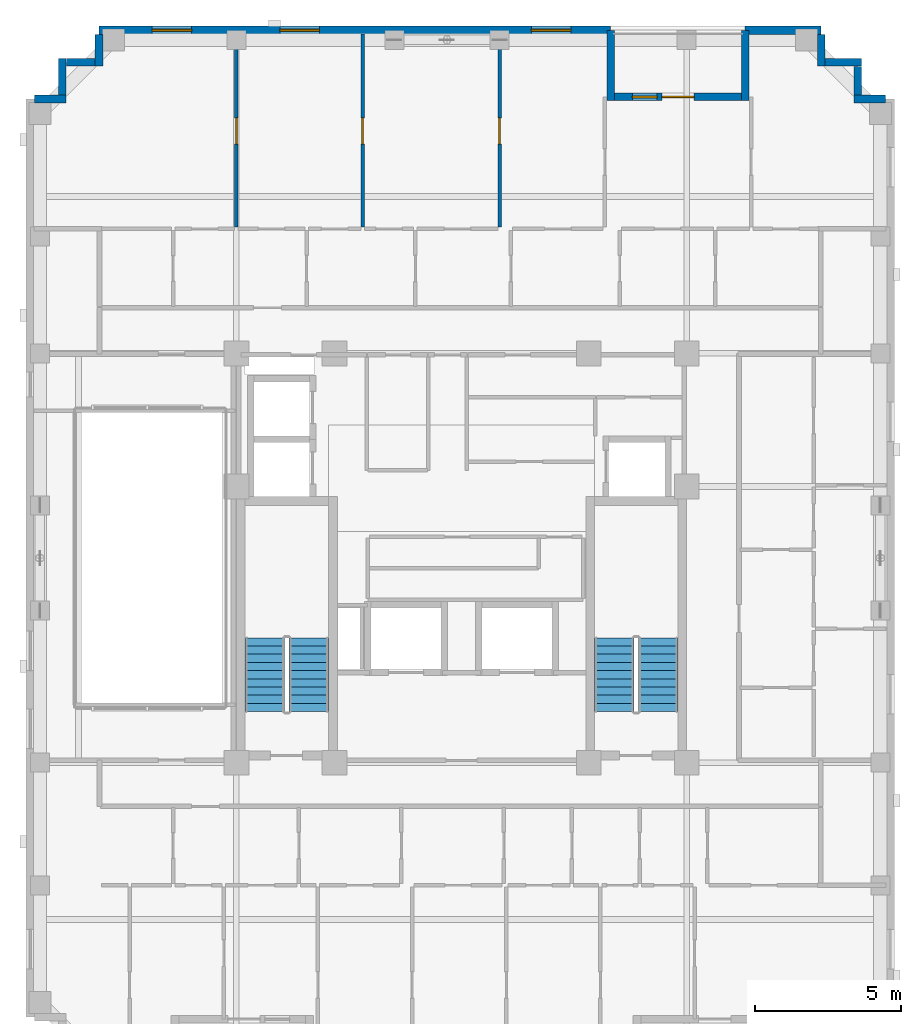
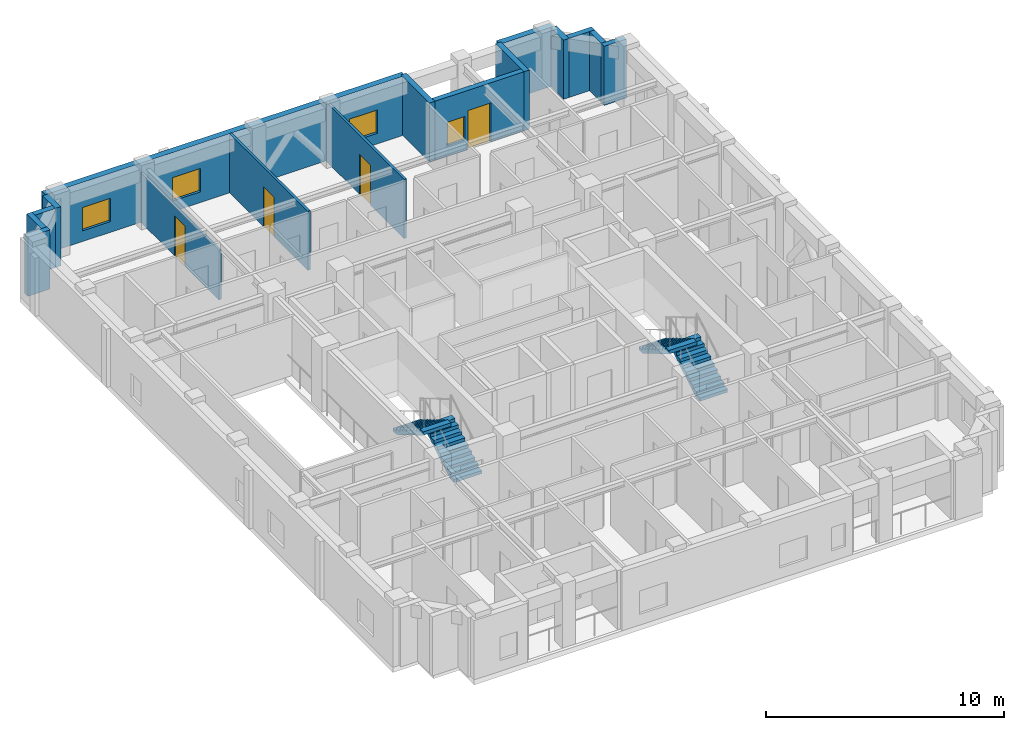
# One storey, part 9 of 13: 16 walls, 4 doors, 4 stair flights, 4 windows, 8 openings, 2 elements without a shape of their own.
"""IFC4 building model written with IfcOpenShell, lengths in metres."""

from ifc_helpers import new_model, si_unit, derived_unit, direction, frame, frame_2d, origin, place, context, subcontext, project, spatial, polyline, rectangle, outline, extrude, material, layer, layer_set, type_object, element, fill, aggregate, save


model = new_model("IFC4")

# Units and contexts
model_context = context("Model", 3, precision=1e-05, world=origin(), true_north=direction((0.0, 1.0)))
body_context = subcontext(model_context, "Body", "Model", "MODEL_VIEW")
ifc_project = project(units=[si_unit("LENGTHUNIT", "METRE"), si_unit("AREAUNIT", "SQUARE_METRE"), si_unit("VOLUMEUNIT", "CUBIC_METRE"), si_unit("PLANEANGLEUNIT", "RADIAN"), si_unit("MASSUNIT", "GRAM", prefix="KILO"), derived_unit("THERMALTRANSMITTANCEUNIT", [(si_unit("MASSUNIT", "GRAM", prefix="KILO"), 1), (si_unit("TIMEUNIT", "SECOND"), -3), (si_unit("THERMODYNAMICTEMPERATUREUNIT", "KELVIN"), -1)])], contexts=[model_context])

# Site, building, storey
site_placement = place(None, origin())
site = spatial("IfcSite", under=ifc_project, at=site_placement, CompositionType="ELEMENT")
building_placement = place(site_placement, origin())
building = spatial("IfcBuilding", under=site, at=building_placement, Name="Korrvale Station Residences", CompositionType="ELEMENT")
storey_placement = place(building_placement, frame((0.0, 0.0, 181.0)))
storey = spatial("IfcBuildingStorey", under=building, at=storey_placement, Name="L52", CompositionType="ELEMENT", Elevation=181.0)

# Wall
ifc_material_1 = material(Name="Precast concrete C45/55", Category="concrete")
ifc_layer_1 = layer(ifc_material_1, 0.260009765625, Name="Precast concrete C45/55")
ifc_layer_set_1 = layer_set([ifc_layer_1], Name="Precast concrete C45/55")
wall_type_1 = type_object("IfcWallType", Name="WAL-EXT-LOG260", PredefinedType="SOLIDWALL", material=ifc_layer_set_1)
wall_1_placement = place(storey_placement, frame((30.60009765625, 40.0400390625, 0.0), z_axis=(0.0, 0.0, 1.0), x_axis=(0.0, -1.0, 0.0)))
element("IfcWall", 1, at=wall_1_placement, inside=storey, type_object=wall_type_1, Name="L52 Recessed Loggia Wall BAL-L52-N1-L", PredefinedType="SOLIDWALL", context=body_context, shape_type="SweptSolid", body=[
    extrude(rectangle(XDim=2.400146484375, YDim=0.260009765625, at=frame_2d((1.2001953125, 0.0))), origin(), (0.0, 0.0, 1.0), 3.0400390625),
])

# Wall, openings, door, window
wall_2_placement = place(storey_placement, frame((30.73388671875, 37.77001953125, 0.0), z_axis=(0.0, 0.0, 1.0), x_axis=(1.0, 0.0, 0.0)))
wall_2 = element("IfcWall", 2, at=wall_2_placement, inside=storey, type_object=wall_type_1, Name="L52 Recessed Loggia Wall BAL-L52-N1-B", PredefinedType="SOLIDWALL", context=body_context, shape_type="SweptSolid", body=[
    extrude(rectangle(XDim=4.33203125, YDim=0.260009765625, at=frame_2d((2.166015625, 0.0))), origin(), (0.0, 0.0, 1.0), 3.0400390625),
])
opening_1_placement = place(wall_2_placement, frame((1.615966796875, 0.0, 0.0)))
opening_1 = element("IfcOpeningElement", 3, at=opening_1_placement, cuts=wall_2, Name="Opening BD-01", PredefinedType="OPENING", context=body_context, shape_type="SweptSolid", body=[
    extrude(rectangle(XDim=1.10009765625, YDim=2.0, at=frame_2d((0.550048828125, 1.0))), frame((0.0, 0.14013671875, 0.0), z_axis=(0.0, -1.0, 0.0), x_axis=(1.0, 0.0, 0.0)), (0.0, 0.0, 1.0), 0.280029296875),
])
opening_2_placement = place(wall_2_placement, frame((0.60595703125, 0.0, 0.550048828125)))
opening_2 = element("IfcOpeningElement", 4, at=opening_2_placement, cuts=wall_2, Name="Opening W-11", PredefinedType="OPENING", context=body_context, shape_type="SweptSolid", body=[
    extrude(rectangle(XDim=0.85009765625, YDim=1.199951171875, at=frame_2d((0.425048828125, 0.60009765625))), frame((0.0, 0.14013671875, 0.0), z_axis=(0.0, -1.0, 0.0), x_axis=(1.0, 0.0, 0.0)), (0.0, 0.0, 1.0), 0.280029296875),
])
ifc_material_2 = material(Name="Exterior thermally broken aluminium glazed balcony door", Category="aluminium")
door_type_1 = type_object("IfcDoorType", Name="DR-EXT-BAL", OperationType="NOTDEFINED", PredefinedType="DOOR", material=ifc_material_2)
door_1_placement = place(opening_1_placement, origin())
door_1 = element("IfcDoor", 5, at=door_1_placement, inside=storey, type_object=door_type_1, Name="L52 Loggia Balcony Door BAL-L52-N1", OperationType="SINGLE_SWING_LEFT", OverallHeight=2.0, OverallWidth=1.10009765625, PredefinedType="DOOR", context=body_context, shape_type="SweptSolid", body=[
    extrude(rectangle(XDim=1.10009765625, YDim=2.0, at=frame_2d((0.550048828125, 1.0))), frame((0.0, 0.02490234375, 0.0), z_axis=(0.0, -1.0, 0.0), x_axis=(1.0, 0.0, 0.0)), (0.0, 0.0, 1.0), 0.050048828125),
])
fill(opening_1, door_1)
ifc_material_3 = material(Name="Thermally broken aluminium frame with triple low-e glazing", Category="aluminium")
window_type_1 = type_object("IfcWindowType", Name="WIN-W11", PartitioningType="SINGLE_PANEL", PredefinedType="WINDOW", material=ifc_material_3)
window_1_placement = place(opening_2_placement, origin())
window_1 = element("IfcWindow", 6, at=window_1_placement, inside=storey, type_object=window_type_1, Name="L52 Punched Window 11", OverallHeight=1.199951171875, OverallWidth=0.85009765625, PartitioningType="SINGLE_PANEL", PredefinedType="WINDOW", context=body_context, shape_type="SweptSolid", body=[
    extrude(rectangle(XDim=0.85009765625, YDim=1.199951171875, at=frame_2d((0.425048828125, 0.60009765625))), frame((0.0, 0.030029296875, 0.0), z_axis=(0.0, -1.0, 0.0), x_axis=(1.0, 0.0, 0.0)), (0.0, 0.0, 1.0), 0.06005859375),
])
fill(opening_2, window_1)

# Walls
wall_3_placement = place(storey_placement, frame((35.199951171875, 37.639892578125, 0.0), z_axis=(0.0, 0.0, 1.0), x_axis=(0.0, 1.0, 0.0)))
element("IfcWall", 7, at=wall_3_placement, inside=storey, type_object=wall_type_1, Name="L52 Recessed Loggia Wall BAL-L52-N1-R", PredefinedType="SOLIDWALL", context=body_context, shape_type="SweptSolid", body=[
    extrude(rectangle(XDim=2.400146484375, YDim=0.260009765625, at=frame_2d((1.2001953125, 0.0))), origin(), (0.0, 0.0, 1.0), 3.0400390625),
])
wall_4_placement = place(storey_placement, frame((10.902099609375, 37.699951171875, 0.0), z_axis=(0.0, 0.0, 1.0), x_axis=(1.0, 0.0, 0.0)))
element("IfcWall", 8, at=wall_4_placement, inside=storey, type_object=wall_type_1, Name="L52 Serrated Corner Precast Step NW-1", PredefinedType="SOLIDWALL", context=body_context, shape_type="SweptSolid", body=[
    extrude(rectangle(XDim=1.077880859375, YDim=0.260009765625, at=frame_2d((0.5390625, 0.0))), origin(), (0.0, 0.0, 1.0), 3.0400390625),
])
wall_5_placement = place(storey_placement, frame((11.85009765625, 37.83203125, 0.0), z_axis=(0.0, 0.0, 1.0), x_axis=(0.0, 1.0, 0.0)))
element("IfcWall", 9, at=wall_5_placement, inside=storey, type_object=wall_type_1, Name="L52 Serrated Corner Precast Step NW-2", PredefinedType="SOLIDWALL", context=body_context, shape_type="SweptSolid", body=[
    extrude(rectangle(XDim=1.248046875, YDim=0.260009765625, at=frame_2d((0.6240234375, 0.0))), origin(), (0.0, 0.0, 1.0), 3.0400390625),
])
wall_6_placement = place(storey_placement, frame((11.98193359375, 38.949951171875, 0.0), z_axis=(0.0, 0.0, 1.0), x_axis=(1.0, 0.0, 0.0)))
element("IfcWall", 10, at=wall_6_placement, inside=storey, type_object=wall_type_1, Name="L52 Serrated Corner Precast Step NW-3", PredefinedType="SOLIDWALL", context=body_context, shape_type="SweptSolid", body=[
    extrude(rectangle(XDim=0.986083984375, YDim=0.260009765625, at=frame_2d((0.4931640625, 0.0))), origin(), (0.0, 0.0, 1.0), 3.0400390625),
])
for number, where, z_axis, x_axis, name in (
    (11, (13.10009765625, 38.820068359375, 0.0), (0.0, 0.0, 1.0), (0.0, 1.0, 0.0), "L52 Serrated Corner Precast Step NW-4"),
    (12, (37.800048828125, 39.89794921875, 0.0), (0.0, 0.0, 1.0), (0.0, -1.0, 0.0), "L52 Serrated Corner Precast Step NE-1"),
):
    element("IfcWall", number, at=place(storey_placement, frame(where, z_axis=z_axis, x_axis=x_axis)), inside=storey, type_object=wall_type_1, Name=name, PredefinedType="SOLIDWALL", context=body_context, shape_type="SweptSolid", body=[
        extrude(rectangle(XDim=1.077880859375, YDim=0.260009765625, at=frame_2d((0.5390625, 0.0))), origin(), (0.0, 0.0, 1.0), 3.0400390625),
    ])
wall_7_placement = place(storey_placement, frame((37.931884765625, 38.949951171875, 0.0), z_axis=(0.0, 0.0, 1.0), x_axis=(1.0, 0.0, 0.0)))
element("IfcWall", 13, at=wall_7_placement, inside=storey, type_object=wall_type_1, Name="L52 Serrated Corner Precast Step NE-2", PredefinedType="SOLIDWALL", context=body_context, shape_type="SweptSolid", body=[
    extrude(rectangle(XDim=1.248046875, YDim=0.260009765625, at=frame_2d((0.6240234375, 0.0))), origin(), (0.0, 0.0, 1.0), 3.0400390625),
])
wall_8_placement = place(storey_placement, frame((39.050048828125, 38.818115234375, 0.0), z_axis=(0.0, 0.0, 1.0), x_axis=(0.0, -1.0, 0.0)))
element("IfcWall", 14, at=wall_8_placement, inside=storey, type_object=wall_type_1, Name="L52 Serrated Corner Precast Step NE-3", PredefinedType="SOLIDWALL", context=body_context, shape_type="SweptSolid", body=[
    extrude(rectangle(XDim=0.986083984375, YDim=0.260009765625, at=frame_2d((0.4931640625, 0.0))), origin(), (0.0, 0.0, 1.0), 3.0400390625),
])
wall_9_placement = place(storey_placement, frame((38.919921875, 37.699951171875, 0.0), z_axis=(0.0, 0.0, 1.0), x_axis=(1.0, 0.0, 0.0)))
element("IfcWall", 15, at=wall_9_placement, inside=storey, type_object=wall_type_1, Name="L52 Serrated Corner Precast Step NE-4", PredefinedType="SOLIDWALL", context=body_context, shape_type="SweptSolid", body=[
    extrude(rectangle(XDim=1.078125, YDim=0.260009765625, at=frame_2d((0.5390625, 0.0))), origin(), (0.0, 0.0, 1.0), 3.0400390625),
])

# Wall, openings, windows
ifc_layer_2 = layer(ifc_material_1, 0.300048828125, Name="Precast concrete C45/55")
ifc_layer_set_2 = layer_set([ifc_layer_2], Name="Precast concrete C45/55")
wall_type_2 = type_object("IfcWallType", Name="WAL-EXT-PC300", PredefinedType="SOLIDWALL", material=ifc_layer_set_2)
wall_10_placement = place(storey_placement, frame((13.10009765625, 40.050048828125, 0.0), z_axis=(0.0, 0.0, 1.0), x_axis=(1.0, 0.0, 0.0)))
wall_10 = element("IfcWall", 16, at=wall_10_placement, inside=storey, type_object=wall_type_2, Name="L52 North Exterior Precast Wall 1", PredefinedType="SOLIDWALL", context=body_context, shape_type="SweptSolid", body=[
    extrude(rectangle(XDim=17.5, YDim=0.300048828125, at=frame_2d((8.75, 0.0))), origin(), (0.0, 0.0, 1.0), 3.0400390625),
])
opening_3_placement = place(wall_10_placement, frame((1.81494140625, 0.0, 0.550048828125)))
opening_3 = element("IfcOpeningElement", 17, at=opening_3_placement, cuts=wall_10, Name="Opening W-10", PredefinedType="OPENING", context=body_context, shape_type="SweptSolid", body=[
    extrude(rectangle(XDim=1.35009765625, YDim=1.199951171875, at=frame_2d((0.675048828125, 0.60009765625))), frame((0.0, 0.16015625, 0.0), z_axis=(0.0, -1.0, 0.0), x_axis=(1.0, 0.0, 0.0)), (0.0, 0.0, 1.0), 0.320068359375),
])
opening_4_placement = place(wall_10_placement, frame((6.18896484375, 0.0, 0.550048828125)))
opening_4 = element("IfcOpeningElement", 18, at=opening_4_placement, cuts=wall_10, Name="Opening W-10", PredefinedType="OPENING", context=body_context, shape_type="SweptSolid", body=[
    extrude(rectangle(XDim=1.35009765625, YDim=1.199951171875, at=frame_2d((0.675048828125, 0.60009765625))), frame((0.0, 0.16015625, 0.0), z_axis=(0.0, -1.0, 0.0), x_axis=(1.0, 0.0, 0.0)), (0.0, 0.0, 1.0), 0.320068359375),
])
opening_5_placement = place(wall_10_placement, frame((14.7880859375, 0.0, 0.550048828125)))
opening_5 = element("IfcOpeningElement", 19, at=opening_5_placement, cuts=wall_10, Name="Opening W-10", PredefinedType="OPENING", context=body_context, shape_type="SweptSolid", body=[
    extrude(rectangle(XDim=1.35009765625, YDim=1.199951171875, at=frame_2d((0.675048828125, 0.60009765625))), frame((0.0, 0.16015625, 0.0), z_axis=(0.0, -1.0, 0.0), x_axis=(1.0, 0.0, 0.0)), (0.0, 0.0, 1.0), 0.320068359375),
])
window_type_2 = type_object("IfcWindowType", Name="WIN-W10", PartitioningType="SINGLE_PANEL", PredefinedType="WINDOW", material=ifc_material_3)
window_2_placement = place(opening_3_placement, origin())
window_2 = element("IfcWindow", 20, at=window_2_placement, inside=storey, type_object=window_type_2, Name="L52 Punched Window 08", OverallHeight=1.199951171875, OverallWidth=1.35009765625, PartitioningType="SINGLE_PANEL", PredefinedType="WINDOW", context=body_context, shape_type="SweptSolid", body=[
    extrude(rectangle(XDim=1.35009765625, YDim=1.199951171875, at=frame_2d((0.675048828125, 0.60009765625))), frame((0.0, 0.030029296875, 0.0), z_axis=(0.0, -1.0, 0.0), x_axis=(1.0, 0.0, 0.0)), (0.0, 0.0, 1.0), 0.06005859375),
])
fill(opening_3, window_2)
window_3_placement = place(opening_4_placement, origin())
window_3 = element("IfcWindow", 21, at=window_3_placement, inside=storey, type_object=window_type_2, Name="L52 Punched Window 09", OverallHeight=1.199951171875, OverallWidth=1.35009765625, PartitioningType="SINGLE_PANEL", PredefinedType="WINDOW", context=body_context, shape_type="SweptSolid", body=[
    extrude(rectangle(XDim=1.35009765625, YDim=1.199951171875, at=frame_2d((0.675048828125, 0.60009765625))), frame((0.0, 0.030029296875, 0.0), z_axis=(0.0, -1.0, 0.0), x_axis=(1.0, 0.0, 0.0)), (0.0, 0.0, 1.0), 0.06005859375),
])
fill(opening_4, window_3)
window_4_placement = place(opening_5_placement, origin())
window_4 = element("IfcWindow", 22, at=window_4_placement, inside=storey, type_object=window_type_2, Name="L52 Punched Window 10", OverallHeight=1.199951171875, OverallWidth=1.35009765625, PartitioningType="SINGLE_PANEL", PredefinedType="WINDOW", context=body_context, shape_type="SweptSolid", body=[
    extrude(rectangle(XDim=1.35009765625, YDim=1.199951171875, at=frame_2d((0.675048828125, 0.60009765625))), frame((0.0, 0.030029296875, 0.0), z_axis=(0.0, -1.0, 0.0), x_axis=(1.0, 0.0, 0.0)), (0.0, 0.0, 1.0), 0.06005859375),
])
fill(opening_5, window_4)

# Wall
wall_11_placement = place(storey_placement, frame((35.199951171875, 40.050048828125, 0.0), z_axis=(0.0, 0.0, 1.0), x_axis=(1.0, 0.0, 0.0)))
element("IfcWall", 23, at=wall_11_placement, inside=storey, type_object=wall_type_2, Name="L52 North Exterior Precast Wall 2", PredefinedType="SOLIDWALL", context=body_context, shape_type="SweptSolid", body=[
    extrude(rectangle(XDim=2.60009765625, YDim=0.300048828125, at=frame_2d((1.300048828125, 0.0))), origin(), (0.0, 0.0, 1.0), 3.0400390625),
])

# Wall, opening, door
ifc_material_4 = material(Name="Acoustic steel-stud gypsum board partition", Category="steel")
ifc_layer_3 = layer(ifc_material_4, 0.1201171875, Name="Acoustic steel-stud gypsum board partition")
ifc_layer_set_3 = layer_set([ifc_layer_3], Name="Acoustic steel-stud gypsum board partition")
wall_type_3 = type_object("IfcWallType", Name="WAL-PART-125", PredefinedType="PARTITIONING", material=ifc_layer_set_3)
wall_12_placement = place(storey_placement, frame((17.800048828125, 33.320068359375, 0.0), z_axis=(0.0, 0.0, 1.0), x_axis=(0.0, 1.0, 0.0)))
wall_12 = element("IfcWall", 24, at=wall_12_placement, inside=storey, type_object=wall_type_3, Name="L52 Suite Partition U02-V78", PredefinedType="PARTITIONING", context=body_context, shape_type="SweptSolid", body=[
    extrude(rectangle(XDim=6.599853515625, YDim=0.1201171875, at=frame_2d((3.2998046875, 0.0))), origin(), (0.0, 0.0, 1.0), 2.555908203125),
])
opening_6_placement = place(wall_12_placement, frame((2.8349609375, 0.0, 0.0)))
opening_6 = element("IfcOpeningElement", 25, at=opening_6_placement, cuts=wall_12, Name="Opening DI-900", PredefinedType="OPENING", context=body_context, shape_type="SweptSolid", body=[
    extrude(rectangle(XDim=0.89990234375, YDim=2.050048828125, at=frame_2d((0.449951171875, 1.02490234375))), frame((0.0, 0.070068359375, 0.0), z_axis=(0.0, -1.0, 0.0), x_axis=(1.0, 0.0, 0.0)), (0.0, 0.0, 1.0), 0.14013671875),
])
ifc_material_5 = material(Name="Painted solid-core timber interior room door", Category="wood")
door_type_2 = type_object("IfcDoorType", Name="DR-INT-900", OperationType="NOTDEFINED", PredefinedType="DOOR", material=ifc_material_5)
door_2_placement = place(opening_6_placement, origin())
door_2 = element("IfcDoor", 26, at=door_2_placement, inside=storey, type_object=door_type_2, Name="L52 Apartment 3BR L52-U02 Living and Dining Room Door", OperationType="SINGLE_SWING_LEFT", OverallHeight=2.050048828125, OverallWidth=0.89990234375, PredefinedType="DOOR", context=body_context, shape_type="SweptSolid", body=[
    extrude(rectangle(XDim=0.89990234375, YDim=2.050048828125, at=frame_2d((0.449951171875, 1.02490234375))), frame((0.0, 0.02490234375, 0.0), z_axis=(0.0, -1.0, 0.0), x_axis=(1.0, 0.0, 0.0)), (0.0, 0.0, 1.0), 0.050048828125),
])
fill(opening_6, door_2)

wall_13_placement = place(storey_placement, frame((22.1201171875, 33.320068359375, 0.0), z_axis=(0.0, 0.0, 1.0), x_axis=(0.0, 1.0, 0.0)))
wall_13 = element("IfcWall", 27, at=wall_13_placement, inside=storey, type_object=wall_type_3, Name="L52 Suite Partition U02-V89", PredefinedType="PARTITIONING", context=body_context, shape_type="SweptSolid", body=[
    extrude(rectangle(XDim=6.599853515625, YDim=0.1201171875, at=frame_2d((3.2998046875, 0.0))), origin(), (0.0, 0.0, 1.0), 3.0400390625),
])
opening_7_placement = place(wall_13_placement, frame((2.8349609375, 0.0, 0.0)))
opening_7 = element("IfcOpeningElement", 28, at=opening_7_placement, cuts=wall_13, Name="Opening DI-900", PredefinedType="OPENING", context=body_context, shape_type="SweptSolid", body=[
    extrude(rectangle(XDim=0.89990234375, YDim=2.050048828125, at=frame_2d((0.449951171875, 1.02490234375))), frame((0.0, 0.070068359375, 0.0), z_axis=(0.0, -1.0, 0.0), x_axis=(1.0, 0.0, 0.0)), (0.0, 0.0, 1.0), 0.14013671875),
])
door_3_placement = place(opening_7_placement, origin())
door_3 = element("IfcDoor", 29, at=door_3_placement, inside=storey, type_object=door_type_2, Name="L52 Apartment 3BR L52-U02 Formal Dining Room Door", OperationType="SINGLE_SWING_RIGHT", OverallHeight=2.050048828125, OverallWidth=0.89990234375, PredefinedType="DOOR", context=body_context, shape_type="SweptSolid", body=[
    extrude(rectangle(XDim=0.89990234375, YDim=2.050048828125, at=frame_2d((0.449951171875, 1.02490234375))), frame((0.0, 0.02490234375, 0.0), z_axis=(0.0, -1.0, 0.0), x_axis=(1.0, 0.0, 0.0)), (0.0, 0.0, 1.0), 0.050048828125),
])
fill(opening_7, door_3)

wall_14_placement = place(storey_placement, frame((26.800048828125, 33.320068359375, 0.0), z_axis=(0.0, 0.0, 1.0), x_axis=(0.0, 1.0, 0.0)))
wall_14 = element("IfcWall", 30, at=wall_14_placement, inside=storey, type_object=wall_type_3, Name="L52 Suite Partition U02-V910", PredefinedType="PARTITIONING", context=body_context, shape_type="SweptSolid", body=[
    extrude(rectangle(XDim=6.599853515625, YDim=0.1201171875, at=frame_2d((3.2998046875, 0.0))), origin(), (0.0, 0.0, 1.0), 3.0400390625),
])
opening_8_placement = place(wall_14_placement, frame((2.8349609375, 0.0, 0.0)))
opening_8 = element("IfcOpeningElement", 31, at=opening_8_placement, cuts=wall_14, Name="Opening DI-900", PredefinedType="OPENING", context=body_context, shape_type="SweptSolid", body=[
    extrude(rectangle(XDim=0.89990234375, YDim=2.050048828125, at=frame_2d((0.449951171875, 1.02490234375))), frame((0.0, 0.070068359375, 0.0), z_axis=(0.0, -1.0, 0.0), x_axis=(1.0, 0.0, 0.0)), (0.0, 0.0, 1.0), 0.14013671875),
])
door_4_placement = place(opening_8_placement, origin())
door_4 = element("IfcDoor", 32, at=door_4_placement, inside=storey, type_object=door_type_2, Name="L52 Apartment 3BR L52-U02 Wardrobe Storage Room Door", OperationType="SINGLE_SWING_LEFT", OverallHeight=2.050048828125, OverallWidth=0.89990234375, PredefinedType="DOOR", context=body_context, shape_type="SweptSolid", body=[
    extrude(rectangle(XDim=0.89990234375, YDim=2.050048828125, at=frame_2d((0.449951171875, 1.02490234375))), frame((0.0, 0.02490234375, 0.0), z_axis=(0.0, -1.0, 0.0), x_axis=(1.0, 0.0, 0.0)), (0.0, 0.0, 1.0), 0.050048828125),
])
fill(opening_8, door_4)

# Stair, stair flights
ifc_material_6 = material(Name="Concrete C50/60", Category="concrete")
stair_type = type_object("IfcStairType", Name="STR-DL-1350-20R-1650", PredefinedType="HALF_TURN_STAIR", material=ifc_material_6)
stair_1_placement = place(storey_placement, origin())
stair_1 = element("IfcStair", 33, at=stair_1_placement, inside=storey, type_object=stair_type, Name="L52 Exit Stair 1", PredefinedType="HALF_TURN_STAIR")
stair_flight_type = type_object("IfcStairFlightType", Name="FLT-DL-1350-20R-1650", PredefinedType="STRAIGHT", material=ifc_material_6)
stair_flight_1_placement = place(storey_placement, frame((20.27490234375, 16.75, 0.0), z_axis=(0.0, 0.0, 1.0), x_axis=(0.0, 1.0, 0.0)))
stair_flight_1 = element("IfcStairFlight", 34, at=stair_flight_1_placement, type_object=stair_flight_type, Name="ST-1 flight 1", NumberOfRisers=10, NumberOfTreads=9, PredefinedType="STRAIGHT", RiserHeight=0.165, TreadLength=0.28, context=body_context, shape_type="SweptSolid", body=[
    extrude(outline(polyline([(0.0, 0.0), (0.0, 0.1650390625), (0.280029296875, 0.1650390625), (0.280029296875, 0.330078125), (0.56005859375, 0.330078125), (0.56005859375, 0.4951171875), (0.840087890625, 0.4951171875), (0.840087890625, 0.659912109375), (1.1201171875, 0.659912109375), (1.1201171875, 0.824951171875), (1.39990234375, 0.824951171875), (1.39990234375, 0.989990234375), (1.679931640625, 0.989990234375), (1.679931640625, 1.155029296875), (1.9599609375, 1.155029296875), (1.9599609375, 1.320068359375), (2.239990234375, 1.320068359375), (2.239990234375, 1.485107421875), (2.52001953125, 1.485107421875), (2.52001953125, 1.64990234375), (2.52001953125, 1.31103515625), (0.295166015625, 0.0), (0.0, 0.0)])), frame((0.0, 0.675048828125, 0.0), z_axis=(0.0, -1.0, 0.0), x_axis=(1.0, 0.0, 0.0)), (0.0, 0.0, 1.0), 1.35009765625),
])
stair_flight_2_placement = place(storey_placement, frame((18.77490234375, 19.27001953125, 1.64990234375), z_axis=(0.0, 0.0, 1.0), x_axis=(0.0, -1.0, 0.0)))
stair_flight_2 = element("IfcStairFlight", 35, at=stair_flight_2_placement, type_object=stair_flight_type, Name="ST-1 flight 2", NumberOfRisers=10, NumberOfTreads=9, PredefinedType="STRAIGHT", RiserHeight=0.165, TreadLength=0.28, context=body_context, shape_type="SweptSolid", body=[
    extrude(outline(polyline([(0.0, 0.0), (0.0, 0.1650390625), (0.280029296875, 0.1650390625), (0.280029296875, 0.330078125), (0.56005859375, 0.330078125), (0.56005859375, 0.4951171875), (0.840087890625, 0.4951171875), (0.840087890625, 0.659912109375), (1.1201171875, 0.659912109375), (1.1201171875, 0.824951171875), (1.39990234375, 0.824951171875), (1.39990234375, 0.989990234375), (1.679931640625, 0.989990234375), (1.679931640625, 1.155029296875), (1.9599609375, 1.155029296875), (1.9599609375, 1.320068359375), (2.239990234375, 1.320068359375), (2.239990234375, 1.485107421875), (2.52001953125, 1.485107421875), (2.52001953125, 1.64990234375), (2.52001953125, 1.31103515625), (0.295166015625, 0.0), (0.0, 0.0)])), frame((0.0, 0.675048828125, 0.0), z_axis=(0.0, -1.0, 0.0), x_axis=(1.0, 0.0, 0.0)), (0.0, 0.0, 1.0), 1.35009765625),
])
aggregate(stair_1, [stair_flight_1, stair_flight_2])

stair_2_placement = place(storey_placement, origin())
stair_2 = element("IfcStair", 36, at=stair_2_placement, inside=storey, type_object=stair_type, Name="L52 Exit Stair 2", PredefinedType="HALF_TURN_STAIR")
stair_flight_3_placement = place(storey_placement, frame((32.22509765625, 16.75, 0.0), z_axis=(0.0, 0.0, 1.0), x_axis=(0.0, 1.0, 0.0)))
stair_flight_3 = element("IfcStairFlight", 37, at=stair_flight_3_placement, type_object=stair_flight_type, Name="ST-2 flight 1", NumberOfRisers=10, NumberOfTreads=9, PredefinedType="STRAIGHT", RiserHeight=0.165, TreadLength=0.28, context=body_context, shape_type="SweptSolid", body=[
    extrude(outline(polyline([(0.0, 0.0), (0.0, 0.1650390625), (0.280029296875, 0.1650390625), (0.280029296875, 0.330078125), (0.56005859375, 0.330078125), (0.56005859375, 0.4951171875), (0.840087890625, 0.4951171875), (0.840087890625, 0.659912109375), (1.1201171875, 0.659912109375), (1.1201171875, 0.824951171875), (1.39990234375, 0.824951171875), (1.39990234375, 0.989990234375), (1.679931640625, 0.989990234375), (1.679931640625, 1.155029296875), (1.9599609375, 1.155029296875), (1.9599609375, 1.320068359375), (2.239990234375, 1.320068359375), (2.239990234375, 1.485107421875), (2.52001953125, 1.485107421875), (2.52001953125, 1.64990234375), (2.52001953125, 1.31103515625), (0.295166015625, 0.0), (0.0, 0.0)])), frame((0.0, 0.675048828125, 0.0), z_axis=(0.0, -1.0, 0.0), x_axis=(1.0, 0.0, 0.0)), (0.0, 0.0, 1.0), 1.35009765625),
])
stair_flight_4_placement = place(storey_placement, frame((30.72509765625, 19.27001953125, 1.64990234375), z_axis=(0.0, 0.0, 1.0), x_axis=(0.0, -1.0, 0.0)))
stair_flight_4 = element("IfcStairFlight", 38, at=stair_flight_4_placement, type_object=stair_flight_type, Name="ST-2 flight 2", NumberOfRisers=10, NumberOfTreads=9, PredefinedType="STRAIGHT", RiserHeight=0.165, TreadLength=0.28, context=body_context, shape_type="SweptSolid", body=[
    extrude(outline(polyline([(0.0, 0.0), (0.0, 0.1650390625), (0.280029296875, 0.1650390625), (0.280029296875, 0.330078125), (0.56005859375, 0.330078125), (0.56005859375, 0.4951171875), (0.840087890625, 0.4951171875), (0.840087890625, 0.659912109375), (1.1201171875, 0.659912109375), (1.1201171875, 0.824951171875), (1.39990234375, 0.824951171875), (1.39990234375, 0.989990234375), (1.679931640625, 0.989990234375), (1.679931640625, 1.155029296875), (1.9599609375, 1.155029296875), (1.9599609375, 1.320068359375), (2.239990234375, 1.320068359375), (2.239990234375, 1.485107421875), (2.52001953125, 1.485107421875), (2.52001953125, 1.64990234375), (2.52001953125, 1.31103515625), (0.295166015625, 0.0), (0.0, 0.0)])), frame((0.0, 0.675048828125, 0.0), z_axis=(0.0, -1.0, 0.0), x_axis=(1.0, 0.0, 0.0)), (0.0, 0.0, 1.0), 1.35009765625),
])
aggregate(stair_2, [stair_flight_3, stair_flight_4])

save(model, "model.ifc")
